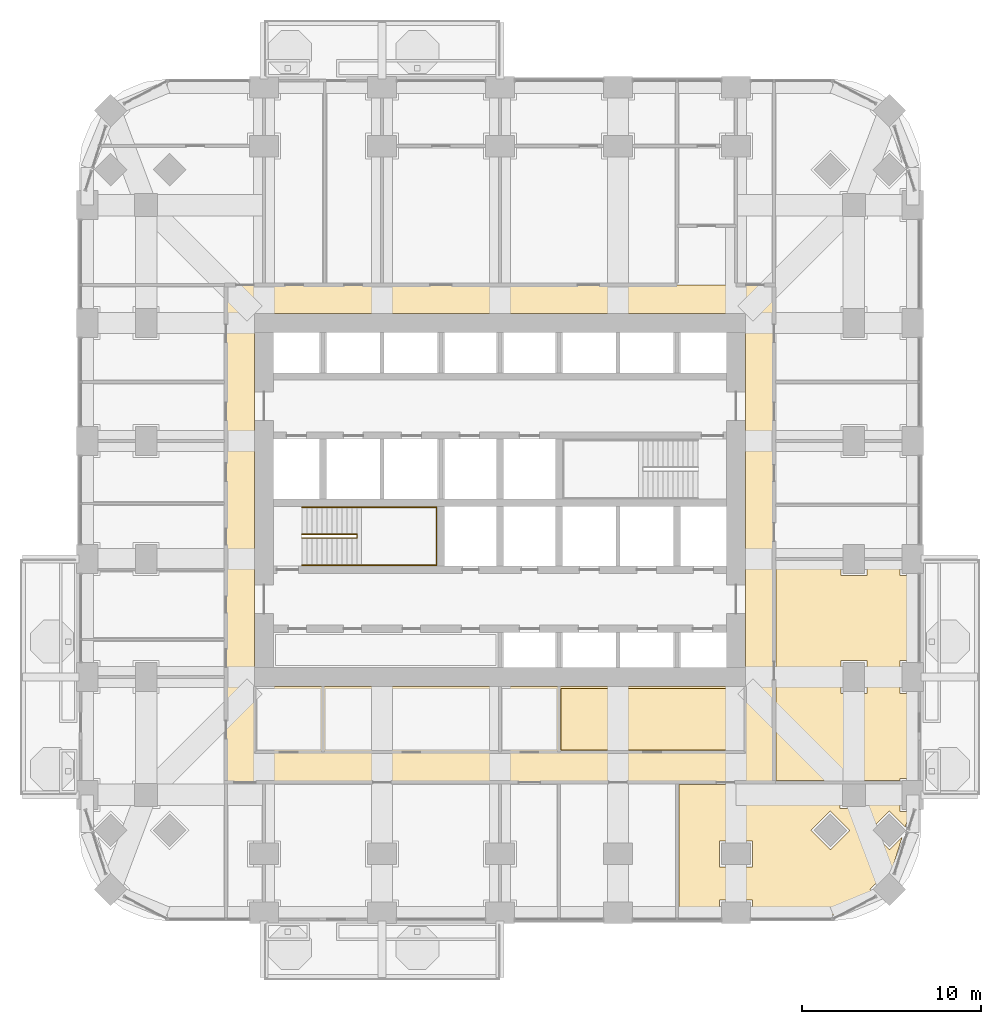
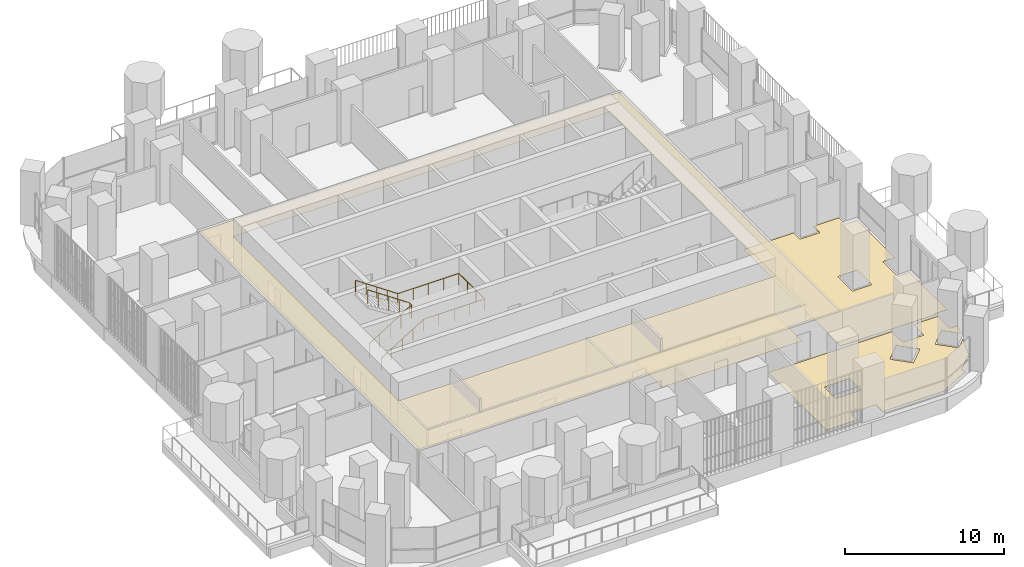
# One storey, part 18 of 21: 4 coverings, 2 railings.
"""IFC4 building model written with IfcOpenShell, lengths in metres."""

from ifc_helpers import new_model, si_unit, direction, frame, origin, place, context, subcontext, project, spatial, polyline, outline, extrude, material, layer, layer_set, type_object, element, save


model = new_model("IFC4")

# Units and contexts
model_context = context("Model", 3, precision=1e-05, world=origin(), true_north=direction((0.0, 1.0)))
body_context = subcontext(model_context, "Body", "Model", "MODEL_VIEW")
ifc_project = project(units=[si_unit("LENGTHUNIT", "METRE"), si_unit("AREAUNIT", "SQUARE_METRE"), si_unit("VOLUMEUNIT", "CUBIC_METRE"), si_unit("PLANEANGLEUNIT", "RADIAN"), si_unit("MASSUNIT", "GRAM", prefix="KILO")], contexts=[model_context])

# Site, building, storey
site_placement = place(None, origin())
site = spatial("IfcSite", under=ifc_project, at=site_placement, CompositionType="ELEMENT")
building_placement = place(site_placement, origin())
building = spatial("IfcBuilding", under=site, at=building_placement, Name="Cobogo Forest Laboratory Tower", CompositionType="ELEMENT")
storey_placement = place(building_placement, frame((0.0, 0.0, 107.39990234375)))
storey = spatial("IfcBuildingStorey", under=building, at=storey_placement, Name="L24", CompositionType="ELEMENT", Elevation=107.39990234375)

# Coverings
ifc_material_1 = material(Name="Mineral fibre ceiling tile", Category="ceiling")
ifc_layer_1 = layer(ifc_material_1, 0.02001953125)
ifc_layer_set_1 = layer_set([ifc_layer_1], Name="CL1 suspended ceiling")
covering_type_1 = type_object("IfcCoveringType", Name="CL1 suspended ceiling", PredefinedType="CEILING", material=ifc_layer_set_1)
covering_1_placement = place(storey_placement, frame((0.0, 0.0, 2.800048828125)))
element("IfcCovering", 1, at=covering_1_placement, inside=storey, type_object=covering_type_1, Name="Corridor ceiling L24", PredefinedType="CEILING", context=body_context, shape_type="SweptSolid", body=[
    extrude(outline(polyline([(11.074951171875, 7.300048828125), (11.074951171875, 35.125), (41.72509765625, 35.125), (41.72509765625, 7.300048828125), (11.074951171875, 7.300048828125)]), holes=[polyline([(40.125, 33.52490234375), (12.675048828125, 33.52490234375), (12.675048828125, 12.675048828125), (40.125, 12.675048828125), (40.125, 33.52490234375)])]), origin(), (0.0, 0.0, 1.0), 0.02001953125),
])
ifc_material_2 = material(Name="Carpet tile on raised access floor", Category="flooring")
ifc_layer_2 = layer(ifc_material_2, 0.008056640625)
ifc_layer_set_2 = layer_set([ifc_layer_2], Name="CT1 carpet tile floor 8")
covering_type_2 = type_object("IfcCoveringType", Name="CT1 carpet tile floor 8", PredefinedType="FLOORING", material=ifc_layer_set_2)
covering_2_placement = place(storey_placement, origin())
element("IfcCovering", 2, at=covering_2_placement, inside=storey, type_object=covering_type_2, Name="Carpet floor L24-09", PredefinedType="FLOORING", context=body_context, shape_type="SweptSolid", body=[
    extrude(outline(polyline([(45.429931640625, 5.830078125), (46.969970703125, 5.830078125), (46.969970703125, 7.179931640625), (48.780029296875, 7.179931640625), (48.780029296875, 5.679931640625), (49.349853515625, 5.679931640625), (49.075927734375, 4.81298828125), (48.181884765625, 5.70703125), (47.093017578125, 4.617919921875), (48.181884765625, 3.529052734375), (48.89599609375, 4.2431640625), (48.283935546875, 2.304931640625), (48.181884765625, 2.406982421875), (47.093017578125, 1.318115234375), (47.3193359375, 1.091552734375), (44.95068359375, -0.14990234375), (40.52001953125, -0.14990234375), (40.52001953125, 0.719970703125), (38.679931640625, 0.719970703125), (38.679931640625, -0.14990234375), (36.419921875, -0.14990234375), (36.419921875, 7.179931640625), (45.429931640625, 7.179931640625), (45.429931640625, 5.830078125)]), holes=[polyline([(43.79296875, 4.617919921875), (44.882080078125, 3.529052734375), (45.970947265625, 4.617919921875), (44.882080078125, 5.70703125), (43.79296875, 4.617919921875)]), polyline([(38.679931640625, 4.02001953125), (38.679931640625, 2.580078125), (40.52001953125, 2.580078125), (40.52001953125, 4.02001953125), (38.679931640625, 4.02001953125)])]), origin(), (0.0, 0.0, 1.0), 0.008056640625),
])
covering_3_placement = place(storey_placement, origin())
element("IfcCovering", 3, at=covering_3_placement, inside=storey, type_object=covering_type_2, Name="Carpet floor L24-10", PredefinedType="FLOORING", context=body_context, shape_type="SweptSolid", body=[
    extrude(outline(polyline([(41.844970703125, 19.679931640625), (45.47998046875, 19.679931640625), (45.47998046875, 18.8798828125), (46.919921875, 18.8798828125), (46.919921875, 19.679931640625), (48.780029296875, 19.679931640625), (48.780029296875, 18.8798828125), (49.64990234375, 18.8798828125), (49.64990234375, 14.1201171875), (48.780029296875, 14.1201171875), (48.780029296875, 12.280029296875), (49.64990234375, 12.280029296875), (49.64990234375, 7.52001953125), (48.780029296875, 7.52001953125), (48.780029296875, 7.419921875), (41.844970703125, 7.419921875), (41.844970703125, 19.679931640625)]), holes=[polyline([(45.47998046875, 12.280029296875), (46.919921875, 12.280029296875), (46.919921875, 14.1201171875), (45.47998046875, 14.1201171875), (45.47998046875, 12.280029296875)])]), origin(), (0.0, 0.0, 1.0), 0.008056640625),
])

# Railings
ifc_material_3 = material(Name="Steel balustrade", Category="steel")
railing_type_1 = type_object("IfcRailingType", Name="GR stair guard 1100", PredefinedType="GUARDRAIL", material=ifc_material_3)
railing_1_placement = place(storey_placement, frame((15.324951171875, 20.969970703125, 0.175048828125)))
element("IfcRailing", 4, at=railing_1_placement, inside=storey, type_object=railing_type_1, Name="Stair guard ST1 L24", PredefinedType="GUARDRAIL", context=body_context, shape_type="SweptSolid", body=[
    extrude(outline(polyline([(0.022216796875, 0.00927734375), (0.00927734375, 0.022216796875), (-0.00927734375, 0.022216796875), (-0.022216796875, 0.00927734375), (-0.022216796875, -0.00927734375), (-0.00927734375, -0.022216796875), (0.00927734375, -0.022216796875), (0.022216796875, -0.00927734375), (0.022216796875, 0.00927734375)])), frame((0.0, 0.0, 1.077880859375), z_axis=(0.847998304005, 0.0, 0.529998940003), x_axis=(0.0, 1.0, 0.0)), (0.0, 0.0, 1.0), 3.632080078125),
    extrude(outline(polyline([(0.022216796875, 0.00927734375), (0.00927734375, 0.022216796875), (-0.00927734375, 0.022216796875), (-0.022216796875, 0.00927734375), (-0.022216796875, -0.00927734375), (-0.00927734375, -0.022216796875), (0.00927734375, -0.022216796875), (0.022216796875, -0.00927734375), (0.022216796875, 0.00927734375)])), frame((3.080078125, 0.0, 3.0029296875), z_axis=(0.0, 1.0, 0.0), x_axis=(-1.0, 0.0, 0.0)), (0.0, 0.0, 1.0), 0.2099609375),
    extrude(outline(polyline([(0.022216796875, 0.00927734375), (0.00927734375, 0.022216796875), (-0.00927734375, 0.022216796875), (-0.022216796875, 0.00927734375), (-0.022216796875, -0.00927734375), (-0.00927734375, -0.022216796875), (0.00927734375, -0.022216796875), (0.022216796875, -0.00927734375), (0.022216796875, 0.00927734375)])), frame((3.080078125, 0.2099609375, 3.0029296875), z_axis=(-0.826221800596, 0.0, 0.563344953133), x_axis=(0.0, -1.0, 0.0)), (0.0, 0.0, 1.0), 3.72802734375),
    extrude(outline(polyline([(0.019287109375, 0.008056640625), (0.008056640625, 0.019287109375), (-0.008056640625, 0.019287109375), (-0.019287109375, 0.008056640625), (-0.019287109375, -0.008056640625), (-0.008056640625, -0.019287109375), (0.008056640625, -0.019287109375), (0.019287109375, -0.008056640625), (0.019287109375, 0.008056640625)])), origin(), (0.0, 0.0, 1.0), 1.077880859375),
    extrude(outline(polyline([(0.019287109375, 0.008056640625), (0.008056640625, 0.019287109375), (-0.008056640625, 0.019287109375), (-0.019287109375, 0.008056640625), (-0.019287109375, -0.008056640625), (-0.008056640625, -0.019287109375), (0.008056640625, -0.019287109375), (0.019287109375, -0.008056640625), (0.019287109375, 0.008056640625)])), frame((0.77001953125, 0.0, 0.481201171875)), (0.0, 0.0, 1.0), 1.077880859375),
    extrude(outline(polyline([(0.019287109375, 0.008056640625), (0.008056640625, 0.019287109375), (-0.008056640625, 0.019287109375), (-0.019287109375, 0.008056640625), (-0.019287109375, -0.008056640625), (-0.008056640625, -0.019287109375), (0.008056640625, -0.019287109375), (0.019287109375, -0.008056640625), (0.019287109375, 0.008056640625)])), frame((1.5400390625, 0.0, 0.96240234375)), (0.0, 0.0, 1.0), 1.077880859375),
    extrude(outline(polyline([(0.019287109375, 0.008056640625), (0.008056640625, 0.019287109375), (-0.008056640625, 0.019287109375), (-0.019287109375, 0.008056640625), (-0.019287109375, -0.008056640625), (-0.008056640625, -0.019287109375), (0.008056640625, -0.019287109375), (0.019287109375, -0.008056640625), (0.019287109375, 0.008056640625)])), frame((2.31005859375, 0.0, 1.44384765625)), (0.0, 0.0, 1.0), 1.077880859375),
    extrude(outline(polyline([(0.019287109375, 0.008056640625), (0.008056640625, 0.019287109375), (-0.008056640625, 0.019287109375), (-0.019287109375, 0.008056640625), (-0.019287109375, -0.008056640625), (-0.008056640625, -0.019287109375), (0.008056640625, -0.019287109375), (0.019287109375, -0.008056640625), (0.019287109375, 0.008056640625)])), frame((3.080078125, 0.0, 1.925048828125)), (0.0, 0.0, 1.0), 1.077880859375),
    extrude(outline(polyline([(0.019287109375, 0.008056640625), (0.008056640625, 0.019287109375), (-0.008056640625, 0.019287109375), (-0.019287109375, 0.008056640625), (-0.019287109375, -0.008056640625), (-0.008056640625, -0.019287109375), (0.008056640625, -0.019287109375), (0.019287109375, -0.008056640625), (0.019287109375, 0.008056640625)])), frame((3.080078125, 0.2099609375, 1.925048828125)), (0.0, 0.0, 1.0), 1.077880859375),
    extrude(outline(polyline([(0.019287109375, 0.008056640625), (0.008056640625, 0.019287109375), (-0.008056640625, 0.019287109375), (-0.019287109375, 0.008056640625), (-0.019287109375, -0.008056640625), (-0.008056640625, -0.019287109375), (0.008056640625, -0.019287109375), (0.019287109375, -0.008056640625), (0.019287109375, 0.008056640625)])), frame((2.31005859375, 0.2099609375, 2.4501953125)), (0.0, 0.0, 1.0), 1.077880859375),
    extrude(outline(polyline([(0.019287109375, 0.008056640625), (0.008056640625, 0.019287109375), (-0.008056640625, 0.019287109375), (-0.019287109375, 0.008056640625), (-0.019287109375, -0.008056640625), (-0.008056640625, -0.019287109375), (0.008056640625, -0.019287109375), (0.019287109375, -0.008056640625), (0.019287109375, 0.008056640625)])), frame((1.5400390625, 0.2099609375, 2.97509765625)), (0.0, 0.0, 1.0), 1.077880859375),
    extrude(outline(polyline([(0.019287109375, 0.008056640625), (0.008056640625, 0.019287109375), (-0.008056640625, 0.019287109375), (-0.019287109375, 0.008056640625), (-0.019287109375, -0.008056640625), (-0.008056640625, -0.019287109375), (0.008056640625, -0.019287109375), (0.019287109375, -0.008056640625), (0.019287109375, 0.008056640625)])), frame((0.77001953125, 0.2099609375, 3.5)), (0.0, 0.0, 1.0), 1.077880859375),
    extrude(outline(polyline([(0.019287109375, 0.008056640625), (0.008056640625, 0.019287109375), (-0.008056640625, 0.019287109375), (-0.019287109375, 0.008056640625), (-0.019287109375, -0.008056640625), (-0.008056640625, -0.019287109375), (0.008056640625, -0.019287109375), (0.019287109375, -0.008056640625), (0.019287109375, 0.008056640625)])), frame((0.0, 0.2099609375, 4.025146484375)), (0.0, 0.0, 1.0), 1.077880859375),
])
ifc_material_4 = material(Name="Stainless steel handrail", Category="steel")
railing_type_2 = type_object("IfcRailingType", Name="HR handrail 900", PredefinedType="HANDRAIL", material=ifc_material_4)
railing_2_placement = place(storey_placement, frame((15.324951171875, 19.449951171875, 0.175048828125)))
element("IfcRailing", 5, at=railing_2_placement, inside=storey, type_object=railing_type_2, Name="Stair handrail ST1 L24", PredefinedType="HANDRAIL", context=body_context, shape_type="SweptSolid", body=[
    extrude(outline(polyline([(0.022216796875, 0.00927734375), (0.00927734375, 0.022216796875), (-0.00927734375, 0.022216796875), (-0.022216796875, 0.00927734375), (-0.022216796875, -0.00927734375), (-0.00927734375, -0.022216796875), (0.00927734375, -0.022216796875), (0.022216796875, -0.00927734375), (0.022216796875, 0.00927734375)])), frame((0.0, 0.0, 0.877685546875), z_axis=(0.847998304005, 0.0, 0.529998940003), x_axis=(0.0, 1.0, 0.0)), (0.0, 0.0, 1.0), 3.632080078125),
    extrude(outline(polyline([(0.022216796875, 0.00927734375), (0.00927734375, 0.022216796875), (-0.00927734375, 0.022216796875), (-0.022216796875, 0.00927734375), (-0.022216796875, -0.00927734375), (-0.00927734375, -0.022216796875), (0.00927734375, -0.022216796875), (0.022216796875, -0.00927734375), (0.022216796875, 0.00927734375)])), frame((3.080078125, 0.0, 2.802734375), z_axis=(1.0, 0.0, 0.0), x_axis=(0.0, 1.0, 0.0)), (0.0, 0.0, 1.0), 4.445068359375),
    extrude(outline(polyline([(0.022216796875, 0.00927734375), (0.00927734375, 0.022216796875), (-0.00927734375, 0.022216796875), (-0.022216796875, 0.00927734375), (-0.022216796875, -0.00927734375), (-0.00927734375, -0.022216796875), (0.00927734375, -0.022216796875), (0.022216796875, -0.00927734375), (0.022216796875, 0.00927734375)])), frame((7.525146484375, 0.0, 2.802734375), z_axis=(0.0, 1.0, 0.0), x_axis=(-1.0, 0.0, 0.0)), (0.0, 0.0, 1.0), 3.25),
    extrude(outline(polyline([(0.022216796875, 0.00927734375), (0.00927734375, 0.022216796875), (-0.00927734375, 0.022216796875), (-0.022216796875, 0.00927734375), (-0.022216796875, -0.00927734375), (-0.00927734375, -0.022216796875), (0.00927734375, -0.022216796875), (0.022216796875, -0.00927734375), (0.022216796875, 0.00927734375)])), frame((7.525146484375, 3.25, 2.802734375), z_axis=(-1.0, 0.0, 0.0), x_axis=(0.0, -1.0, 0.0)), (0.0, 0.0, 1.0), 4.445068359375),
    extrude(outline(polyline([(0.022216796875, 0.00927734375), (0.00927734375, 0.022216796875), (-0.00927734375, 0.022216796875), (-0.022216796875, 0.00927734375), (-0.022216796875, -0.00927734375), (-0.00927734375, -0.022216796875), (0.00927734375, -0.022216796875), (0.022216796875, -0.00927734375), (0.022216796875, 0.00927734375)])), frame((3.080078125, 3.25, 2.802734375), z_axis=(-0.826221800596, 0.0, 0.563344953133), x_axis=(0.0, -1.0, 0.0)), (0.0, 0.0, 1.0), 3.72802734375),
    extrude(outline(polyline([(0.019287109375, 0.008056640625), (0.008056640625, 0.019287109375), (-0.008056640625, 0.019287109375), (-0.019287109375, 0.008056640625), (-0.019287109375, -0.008056640625), (-0.008056640625, -0.019287109375), (0.008056640625, -0.019287109375), (0.019287109375, -0.008056640625), (0.019287109375, 0.008056640625)])), origin(), (0.0, 0.0, 1.0), 0.877685546875),
    extrude(outline(polyline([(0.019287109375, 0.008056640625), (0.008056640625, 0.019287109375), (-0.008056640625, 0.019287109375), (-0.019287109375, 0.008056640625), (-0.019287109375, -0.008056640625), (-0.008056640625, -0.019287109375), (0.008056640625, -0.019287109375), (0.019287109375, -0.008056640625), (0.019287109375, 0.008056640625)])), frame((0.77001953125, 0.0, 0.481201171875)), (0.0, 0.0, 1.0), 0.877685546875),
    extrude(outline(polyline([(0.019287109375, 0.008056640625), (0.008056640625, 0.019287109375), (-0.008056640625, 0.019287109375), (-0.019287109375, 0.008056640625), (-0.019287109375, -0.008056640625), (-0.008056640625, -0.019287109375), (0.008056640625, -0.019287109375), (0.019287109375, -0.008056640625), (0.019287109375, 0.008056640625)])), frame((1.5400390625, 0.0, 0.96240234375)), (0.0, 0.0, 1.0), 0.877685546875),
    extrude(outline(polyline([(0.019287109375, 0.008056640625), (0.008056640625, 0.019287109375), (-0.008056640625, 0.019287109375), (-0.019287109375, 0.008056640625), (-0.019287109375, -0.008056640625), (-0.008056640625, -0.019287109375), (0.008056640625, -0.019287109375), (0.019287109375, -0.008056640625), (0.019287109375, 0.008056640625)])), frame((2.31005859375, 0.0, 1.44384765625)), (0.0, 0.0, 1.0), 0.877685546875),
    extrude(outline(polyline([(0.019287109375, 0.008056640625), (0.008056640625, 0.019287109375), (-0.008056640625, 0.019287109375), (-0.019287109375, 0.008056640625), (-0.019287109375, -0.008056640625), (-0.008056640625, -0.019287109375), (0.008056640625, -0.019287109375), (0.019287109375, -0.008056640625), (0.019287109375, 0.008056640625)])), frame((3.080078125, 0.0, 1.925048828125)), (0.0, 0.0, 1.0), 0.877685546875),
    extrude(outline(polyline([(0.019287109375, 0.008056640625), (0.008056640625, 0.019287109375), (-0.008056640625, 0.019287109375), (-0.019287109375, 0.008056640625), (-0.019287109375, -0.008056640625), (-0.008056640625, -0.019287109375), (0.008056640625, -0.019287109375), (0.019287109375, -0.008056640625), (0.019287109375, 0.008056640625)])), frame((4.19140625, 0.0, 1.925048828125)), (0.0, 0.0, 1.0), 0.877685546875),
    extrude(outline(polyline([(0.019287109375, 0.008056640625), (0.008056640625, 0.019287109375), (-0.008056640625, 0.019287109375), (-0.019287109375, 0.008056640625), (-0.019287109375, -0.008056640625), (-0.008056640625, -0.019287109375), (0.008056640625, -0.019287109375), (0.019287109375, -0.008056640625), (0.019287109375, 0.008056640625)])), frame((5.302734375, 0.0, 1.925048828125)), (0.0, 0.0, 1.0), 0.877685546875),
    extrude(outline(polyline([(0.019287109375, 0.008056640625), (0.008056640625, 0.019287109375), (-0.008056640625, 0.019287109375), (-0.019287109375, 0.008056640625), (-0.019287109375, -0.008056640625), (-0.008056640625, -0.019287109375), (0.008056640625, -0.019287109375), (0.019287109375, -0.008056640625), (0.019287109375, 0.008056640625)])), frame((6.413818359375, 0.0, 1.925048828125)), (0.0, 0.0, 1.0), 0.877685546875),
    extrude(outline(polyline([(0.019287109375, 0.008056640625), (0.008056640625, 0.019287109375), (-0.008056640625, 0.019287109375), (-0.019287109375, 0.008056640625), (-0.019287109375, -0.008056640625), (-0.008056640625, -0.019287109375), (0.008056640625, -0.019287109375), (0.019287109375, -0.008056640625), (0.019287109375, 0.008056640625)])), frame((7.525146484375, 0.0, 1.925048828125)), (0.0, 0.0, 1.0), 0.877685546875),
    extrude(outline(polyline([(0.019287109375, 0.008056640625), (0.008056640625, 0.019287109375), (-0.008056640625, 0.019287109375), (-0.019287109375, 0.008056640625), (-0.019287109375, -0.008056640625), (-0.008056640625, -0.019287109375), (0.008056640625, -0.019287109375), (0.019287109375, -0.008056640625), (0.019287109375, 0.008056640625)])), frame((7.525146484375, 1.083251953125, 1.925048828125)), (0.0, 0.0, 1.0), 0.877685546875),
    extrude(outline(polyline([(0.019287109375, 0.008056640625), (0.008056640625, 0.019287109375), (-0.008056640625, 0.019287109375), (-0.019287109375, 0.008056640625), (-0.019287109375, -0.008056640625), (-0.008056640625, -0.019287109375), (0.008056640625, -0.019287109375), (0.019287109375, -0.008056640625), (0.019287109375, 0.008056640625)])), frame((7.525146484375, 2.166748046875, 1.925048828125)), (0.0, 0.0, 1.0), 0.877685546875),
    extrude(outline(polyline([(0.019287109375, 0.008056640625), (0.008056640625, 0.019287109375), (-0.008056640625, 0.019287109375), (-0.019287109375, 0.008056640625), (-0.019287109375, -0.008056640625), (-0.008056640625, -0.019287109375), (0.008056640625, -0.019287109375), (0.019287109375, -0.008056640625), (0.019287109375, 0.008056640625)])), frame((7.525146484375, 3.25, 1.925048828125)), (0.0, 0.0, 1.0), 0.877685546875),
    extrude(outline(polyline([(0.019287109375, 0.008056640625), (0.008056640625, 0.019287109375), (-0.008056640625, 0.019287109375), (-0.019287109375, 0.008056640625), (-0.019287109375, -0.008056640625), (-0.008056640625, -0.019287109375), (0.008056640625, -0.019287109375), (0.019287109375, -0.008056640625), (0.019287109375, 0.008056640625)])), frame((6.413818359375, 3.25, 1.925048828125)), (0.0, 0.0, 1.0), 0.877685546875),
    extrude(outline(polyline([(0.019287109375, 0.008056640625), (0.008056640625, 0.019287109375), (-0.008056640625, 0.019287109375), (-0.019287109375, 0.008056640625), (-0.019287109375, -0.008056640625), (-0.008056640625, -0.019287109375), (0.008056640625, -0.019287109375), (0.019287109375, -0.008056640625), (0.019287109375, 0.008056640625)])), frame((5.302734375, 3.25, 1.925048828125)), (0.0, 0.0, 1.0), 0.877685546875),
    extrude(outline(polyline([(0.019287109375, 0.008056640625), (0.008056640625, 0.019287109375), (-0.008056640625, 0.019287109375), (-0.019287109375, 0.008056640625), (-0.019287109375, -0.008056640625), (-0.008056640625, -0.019287109375), (0.008056640625, -0.019287109375), (0.019287109375, -0.008056640625), (0.019287109375, 0.008056640625)])), frame((4.19140625, 3.25, 1.925048828125)), (0.0, 0.0, 1.0), 0.877685546875),
    extrude(outline(polyline([(0.019287109375, 0.008056640625), (0.008056640625, 0.019287109375), (-0.008056640625, 0.019287109375), (-0.019287109375, 0.008056640625), (-0.019287109375, -0.008056640625), (-0.008056640625, -0.019287109375), (0.008056640625, -0.019287109375), (0.019287109375, -0.008056640625), (0.019287109375, 0.008056640625)])), frame((3.080078125, 3.25, 1.925048828125)), (0.0, 0.0, 1.0), 0.877685546875),
    extrude(outline(polyline([(0.019287109375, 0.008056640625), (0.008056640625, 0.019287109375), (-0.008056640625, 0.019287109375), (-0.019287109375, 0.008056640625), (-0.019287109375, -0.008056640625), (-0.008056640625, -0.019287109375), (0.008056640625, -0.019287109375), (0.019287109375, -0.008056640625), (0.019287109375, 0.008056640625)])), frame((2.31005859375, 3.25, 2.4501953125)), (0.0, 0.0, 1.0), 0.877685546875),
    extrude(outline(polyline([(0.019287109375, 0.008056640625), (0.008056640625, 0.019287109375), (-0.008056640625, 0.019287109375), (-0.019287109375, 0.008056640625), (-0.019287109375, -0.008056640625), (-0.008056640625, -0.019287109375), (0.008056640625, -0.019287109375), (0.019287109375, -0.008056640625), (0.019287109375, 0.008056640625)])), frame((1.5400390625, 3.25, 2.97509765625)), (0.0, 0.0, 1.0), 0.877685546875),
    extrude(outline(polyline([(0.019287109375, 0.008056640625), (0.008056640625, 0.019287109375), (-0.008056640625, 0.019287109375), (-0.019287109375, 0.008056640625), (-0.019287109375, -0.008056640625), (-0.008056640625, -0.019287109375), (0.008056640625, -0.019287109375), (0.019287109375, -0.008056640625), (0.019287109375, 0.008056640625)])), frame((0.77001953125, 3.25, 3.5)), (0.0, 0.0, 1.0), 0.877685546875),
    extrude(outline(polyline([(0.019287109375, 0.008056640625), (0.008056640625, 0.019287109375), (-0.008056640625, 0.019287109375), (-0.019287109375, 0.008056640625), (-0.019287109375, -0.008056640625), (-0.008056640625, -0.019287109375), (0.008056640625, -0.019287109375), (0.019287109375, -0.008056640625), (0.019287109375, 0.008056640625)])), frame((0.0, 3.25, 4.025146484375)), (0.0, 0.0, 1.0), 0.877685546875),
])

# Covering
ifc_material_5 = material(Name="Epoxy resin flooring", Category="flooring")
ifc_layer_3 = layer(ifc_material_5, 0.00390625)
ifc_layer_set_3 = layer_set([ifc_layer_3], Name="LF1 epoxy laboratory floor 4")
covering_type_3 = type_object("IfcCoveringType", Name="LF1 epoxy laboratory floor 4", PredefinedType="FLOORING", material=ifc_layer_set_3)
covering_4_placement = place(storey_placement, origin())
element("IfcCovering", 6, at=covering_4_placement, inside=storey, type_object=covering_type_3, Name="Epoxy laboratory floor L24-04", PredefinedType="FLOORING", context=body_context, shape_type="SweptSolid", body=[
    extrude(outline(polyline([(40.0048828125, 9.1201171875), (29.820068359375, 9.1201171875), (29.820068359375, 12.554931640625), (40.0048828125, 12.554931640625), (40.0048828125, 9.1201171875)])), origin(), (0.0, 0.0, 1.0), 0.004150390625),
])

save(model, "model.ifc")
